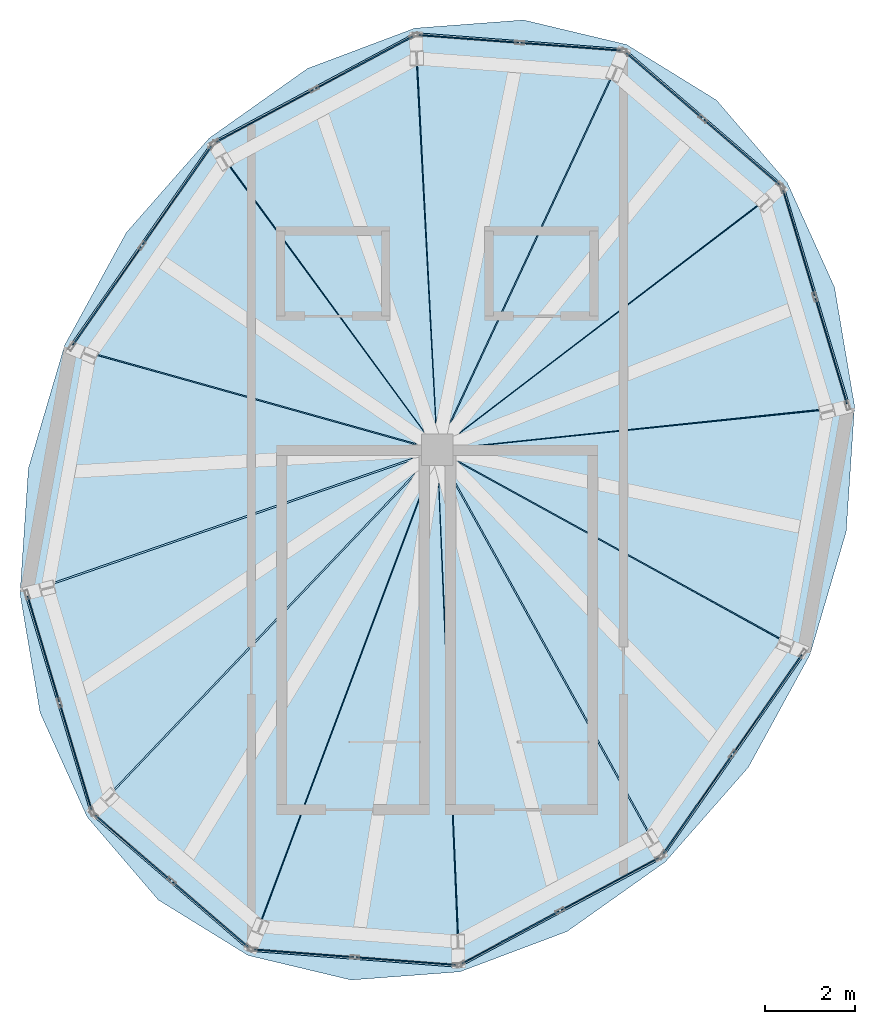
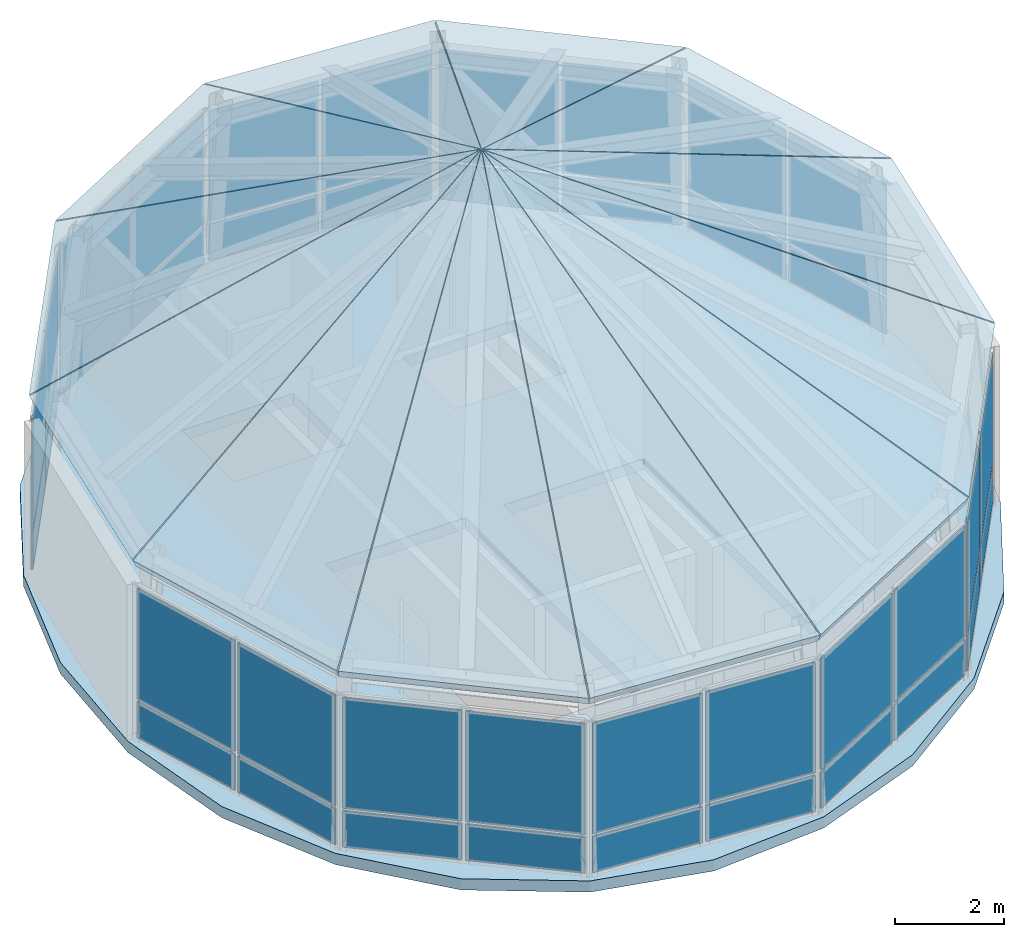
# One storey, part 6 of 8: 40 plates, 13 slabs, 10 elements without a shape of their own.
"""IFC4 building model written with IfcOpenShell, lengths in metres."""

import ifcopenshell
import ifcopenshell.guid

model = None  # the IFC model being written
_history = None  # IfcOwnerHistory: only IFC2X3 demands one
_inside = {}  # id of a spatial element -> (the spatial element, [elements in it])
_under = {}  # id of a project, library or spatial element -> (it, [spatial elements below it])
_declared = {}  # id of a project -> (the project, [libraries it declares])
_typed = {}  # id of a type object -> (the type object, [elements of that type])
_made_of = {}  # id of a material, layer set ... -> (it, [elements and type objects made of it])


def new_model(schema):
    """Start an empty IFC model of exactly this schema.

    Asked for "IFC4X3", IfcOpenShell would pick the latest addendum, in which some entities
    have other attributes; the version numbers below select the first issue.
    IFC2X3 requires an IfcOwnerHistory on every rooted entity: one is made here for all.
    """
    global model, _history
    if schema == "IFC4X3":
        model = ifcopenshell.file(schema_version=(4, 3, 0, 0))
    else:
        model = ifcopenshell.file(schema=schema)
    _inside.clear()
    _under.clear()
    _declared.clear()
    _typed.clear()
    _made_of.clear()
    _history = None
    if model.schema == "IFC2X3":
        org = make("IfcOrganization", Name="unknown")
        user = make(
            "IfcPersonAndOrganization",
            ThePerson=make("IfcPerson", FamilyName="unknown"),
            TheOrganization=org,
        )
        app = make(
            "IfcApplication",
            ApplicationDeveloper=org,
            Version="unknown",
            ApplicationFullName="unknown",
            ApplicationIdentifier="unknown",
        )
        _history = make(
            "IfcOwnerHistory",
            OwningUser=user,
            OwningApplication=app,
            ChangeAction="ADDED",
            CreationDate=0,
        )
    return model


def make(cls, **values):
    """One entity of the class cls with the attributes given. An attribute that is None is left unset."""
    return model.create_entity(
        cls, **{name: value for name, value in values.items() if value is not None}
    )


def rooted(cls, **values):
    """An entity with a GlobalId (a new one), such as an element, a storey or a relation."""
    return make(cls, GlobalId=ifcopenshell.guid.new(), OwnerHistory=_history, **values)


def si_unit(unit_type, name, prefix=None):
    """IfcSIUnit, for example si_unit("LENGTHUNIT", "METRE", prefix="MILLI")."""
    return make("IfcSIUnit", UnitType=unit_type, Prefix=prefix, Name=name)


def assignment(units):
    """IfcUnitAssignment: the units of a project."""
    return None if units is None else make("IfcUnitAssignment", Units=units)


def point(xyz):
    """IfcCartesianPoint."""
    return None if xyz is None else make("IfcCartesianPoint", Coordinates=xyz)


def direction(xyz):
    """IfcDirection."""
    return None if xyz is None else make("IfcDirection", DirectionRatios=xyz)


def frame(location, z_axis=None, x_axis=None):
    """IfcAxis2Placement3D, a coordinate frame: its origin and axes. An axis left out is left unset."""
    return make(
        "IfcAxis2Placement3D",
        Location=point(location),
        Axis=direction(z_axis),
        RefDirection=direction(x_axis),
    )


def frame_2d(location, x_axis=None):
    """IfcAxis2Placement2D, a coordinate frame in the plane: its origin and x axis."""
    return make(
        "IfcAxis2Placement2D", Location=point(location), RefDirection=direction(x_axis)
    )


def origin():
    """The frame at (0, 0, 0) with its axes left unset."""
    return frame((0.0, 0.0, 0.0))


def origin_2d():
    """The frame at (0, 0) in the plane with its x axis left unset."""
    return frame_2d((0.0, 0.0))


def place(relative_to, where):
    """IfcLocalPlacement: puts the frame where relative to a parent placement (None: the world)."""
    return make(
        "IfcLocalPlacement", PlacementRelTo=relative_to, RelativePlacement=where
    )


def context(
    kind, dimensions, precision=None, world=None, true_north=None, identifier=None
):
    """IfcGeometricRepresentationContext, for example the 3D "Model" context."""
    return make(
        "IfcGeometricRepresentationContext",
        ContextIdentifier=identifier,
        ContextType=kind,
        CoordinateSpaceDimension=dimensions,
        Precision=precision,
        WorldCoordinateSystem=world,
        TrueNorth=true_north,
    )


def subcontext(parent, identifier, kind, view, scale=None):
    """IfcGeometricRepresentationSubContext, for example "Body" below "Model"."""
    return make(
        "IfcGeometricRepresentationSubContext",
        ContextIdentifier=identifier,
        ContextType=kind,
        ParentContext=parent,
        TargetScale=scale,
        TargetView=view,
    )


def project(units=None, contexts=None):
    """IfcProject with its units and contexts."""
    return rooted(
        "IfcProject",
        Name="project",
        RepresentationContexts=contexts,
        UnitsInContext=assignment(units),
    )


def spatial(cls, under=None, at=None, **own):
    """A site, building, storey or space (cls), placed at a placement, below another one or the project."""
    s = rooted(cls, ObjectPlacement=at, **own)
    if under is not None:
        _under.setdefault(under.id(), (under, []))[1].append(s)
    return s


def polyline(points):
    """IfcPolyline through the points."""
    return make("IfcPolyline", Points=[point(p) for p in points])


def profile(cls, at=None, kind="AREA", **sizes):
    """A parametric profile (cls). Its sizes go by their IFC names, for example OverallWidth=200.0."""
    return make(cls, ProfileType=kind, Position=at, **sizes)


def rectangle(**sizes):
    """IfcRectangleProfileDef."""
    return profile("IfcRectangleProfileDef", **sizes)


def outline(outer, holes=None, kind="AREA"):
    """IfcArbitraryClosedProfileDef: a profile drawn as a closed curve; with holes, ...WithVoids."""
    if holes is None:
        return make("IfcArbitraryClosedProfileDef", ProfileType=kind, OuterCurve=outer)
    return make(
        "IfcArbitraryProfileDefWithVoids",
        ProfileType=kind,
        OuterCurve=outer,
        InnerCurves=holes,
    )


def extrude(swept, where, along, depth):
    """IfcExtrudedAreaSolid: the profile swept, set in the frame where, extruded along a direction by depth."""
    return make(
        "IfcExtrudedAreaSolid",
        SweptArea=swept,
        Position=where,
        ExtrudedDirection=direction(along),
        Depth=depth,
    )


def shape(context_of_items, identifier, shape_type, items):
    """IfcShapeRepresentation: the items that make up one representation, for example the "Body"."""
    return make(
        "IfcShapeRepresentation",
        ContextOfItems=context_of_items,
        RepresentationIdentifier=identifier,
        RepresentationType=shape_type,
        Items=items,
    )


def material(Name=None, Category=None):
    """IfcMaterial."""
    return make("IfcMaterial", Name=Name, Category=Category)


def layer(
    of_material, thickness, ventilated=None, Name=None, Category=None, Priority=None
):
    """IfcMaterialLayer: one layer of a wall or slab, of a material (None: an air gap)."""
    return make(
        "IfcMaterialLayer",
        Material=of_material,
        LayerThickness=thickness,
        IsVentilated=ventilated,
        Name=Name,
        Category=Category,
        Priority=Priority,
    )


def layer_set(layers, Name=None):
    """IfcMaterialLayerSet."""
    return make("IfcMaterialLayerSet", MaterialLayers=layers, LayerSetName=Name)


def made_of(thing, what):
    """Note that an element or type object is made of a material, layer set ...; save() writes the relation."""
    if what is not None:
        _made_of.setdefault(what.id(), (what, []))[1].append(thing)
    return thing


def type_object(cls, material=None, **own):
    """A type object (cls), such as IfcWallType, which elements share."""
    return made_of(rooted(cls, **own), material)


def element(
    cls,
    number,
    at=None,
    inside=None,
    cuts=None,
    type_object=None,
    material=None,
    context=None,
    identifier="Body",
    shape_type=None,
    held_by="IfcProductDefinitionShape",
    body=None,
    shapes=None,
    **own,
):
    """One element of the class cls, such as IfcWall. Its Tag is "e" and its number.

    at: its placement. inside: the storey or other place that contains it. cuts: it is an
    opening in that element (IfcRelVoidsElement). A single representation is given by context,
    identifier, shape_type and body (its items); several are given by shapes. held_by: the class
    of the entity that holds the representations. save() writes the other relations.
    """
    e = rooted(cls, Tag="e%d" % number, ObjectPlacement=at, **own)
    if body is not None:
        shapes = [shape(context, identifier, shape_type, body)]
    if shapes is not None:
        e.Representation = make(held_by, Representations=shapes)
    if inside is not None:
        _inside.setdefault(inside.id(), (inside, []))[1].append(e)
    if cuts is not None:
        rooted(
            "IfcRelVoidsElement", RelatingBuildingElement=cuts, RelatedOpeningElement=e
        )
    if type_object is not None:
        _typed.setdefault(type_object.id(), (type_object, []))[1].append(e)
    return made_of(e, material)


def aggregate(whole, parts):
    """IfcRelAggregates: a whole, such as a stair, and the parts it consists of."""
    return rooted("IfcRelAggregates", RelatingObject=whole, RelatedObjects=parts)


def save(model, path):
    """Write the relations noted so far, then the file.

    IfcRelAggregates (storeys below a building ...), IfcRelContainedInSpatialStructure (elements
    in a storey), IfcRelDefinesByType, IfcRelAssociatesMaterial and IfcRelDeclares: one each for
    every whole, place, type object, material and project.
    """
    for whole, parts in _under.values():
        aggregate(whole, parts)
    for where, things in _inside.values():
        rooted(
            "IfcRelContainedInSpatialStructure",
            RelatedElements=things,
            RelatingStructure=where,
        )
    for kind, things in _typed.values():
        rooted("IfcRelDefinesByType", RelatedObjects=things, RelatingType=kind)
    for what, things in _made_of.values():
        rooted("IfcRelAssociatesMaterial", RelatedObjects=things, RelatingMaterial=what)
    for by, libraries in _declared.values():
        rooted("IfcRelDeclares", RelatingContext=by, RelatedDefinitions=libraries)
    model.write(path)


model = new_model("IFC4")

# Units and contexts
model_context = context("Model", 3, precision=1e-05, world=origin(), true_north=direction((0.0, 1.0)))
body_context = subcontext(model_context, "Body", "Model", "MODEL_VIEW")
ifc_project = project(units=[si_unit("LENGTHUNIT", "METRE"), si_unit("AREAUNIT", "SQUARE_METRE"), si_unit("VOLUMEUNIT", "CUBIC_METRE"), si_unit("PLANEANGLEUNIT", "RADIAN"), si_unit("MASSUNIT", "GRAM", prefix="KILO"), si_unit("THERMODYNAMICTEMPERATUREUNIT", "KELVIN"), si_unit("POWERUNIT", "WATT")], contexts=[model_context])

# Site, building, storey
site_placement = place(None, origin())
site = spatial("IfcSite", under=ifc_project, at=site_placement, CompositionType="ELEMENT")
building_placement = place(site_placement, origin())
building = spatial("IfcBuilding", under=site, at=building_placement, Name="Ocrelia Relay Tower", CompositionType="ELEMENT")
storey_placement = place(building_placement, frame((0.0, 0.0, 308.0)))
storey = spatial("IfcBuildingStorey", under=building, at=storey_placement, Name="L77", CompositionType="ELEMENT", Elevation=308.0)

# Curtain wall, plates
ifc_material_1 = material(Name="Aluminium and solar-control low-E glass", Category="aluminium")
ifc_layer_1 = layer(ifc_material_1, 0.179931640625, Name="Aluminium and solar-control low-E glass")
ifc_layer_set_1 = layer_set([ifc_layer_1], Name="Aluminium and solar-control low-E glass")
curtain_wall_type = type_object("IfcCurtainWallType", Name="CW-SYS-CROWN-PT", PredefinedType="NOTDEFINED", material=ifc_layer_set_1)
curtain_wall_1_placement = place(storey_placement, origin())
curtain_wall_1 = element("IfcCurtainWall", 1, at=curtain_wall_1_placement, inside=storey, type_object=curtain_wall_type, Name="L77 Faceted Glass-Point Crown Curtain Wall 01", PredefinedType="NOTDEFINED")
ifc_material_2 = material(Name="Clear double-glazed low-E glass", Category="glass")
ifc_layer_2 = layer(ifc_material_2, 0.031982421875, Name="Clear double-glazed low-E glass")
ifc_layer_set_2 = layer_set([ifc_layer_2], Name="Clear double-glazed low-E glass")
plate_type = type_object("IfcPlateType", Name="CW-SYS-CROWN-PT-PNL", PredefinedType="CURTAIN_PANEL", material=ifc_layer_set_2)
plate_1_placement = place(storey_placement, frame((36.981201171875, 36.110595703125, 0.06494140625), z_axis=(0.0, 0.0, 1.0), x_axis=(-0.997101028863, 0.076089015245, 0.0)))
plate_1 = element("IfcPlate", 2, at=plate_1_placement, type_object=plate_type, Name="CW-CR panel 1.1", PredefinedType="CURTAIN_PANEL", context=body_context, shape_type="SweptSolid", body=[
    extrude(rectangle(XDim=2.21630859375, YDim=0.031982421875, at=origin_2d()), origin(), (0.0, 0.0, 1.0), 0.802490234375),
])
plate_2_placement = place(storey_placement, frame((36.981201171875, 36.110595703125, 0.9326171875), z_axis=(0.0, 0.0, 1.0), x_axis=(-0.997101028863, 0.076089015245, 0.0)))
plate_2 = element("IfcPlate", 3, at=plate_2_placement, type_object=plate_type, Name="CW-CR panel 1.2", PredefinedType="CURTAIN_PANEL", context=body_context, shape_type="SweptSolid", body=[
    extrude(rectangle(XDim=2.21630859375, YDim=0.031982421875, at=origin_2d()), origin(), (0.0, 0.0, 1.0), 2.46240234375),
])
plate_3_placement = place(storey_placement, frame((34.696533203125, 36.284912109375, 0.06494140625), z_axis=(0.0, 0.0, 1.0), x_axis=(-0.997101028863, 0.076089015245, 0.0)))
plate_3 = element("IfcPlate", 4, at=plate_3_placement, type_object=plate_type, Name="CW-CR panel 2.1", PredefinedType="CURTAIN_PANEL", context=body_context, shape_type="SweptSolid", body=[
    extrude(rectangle(XDim=2.21630859375, YDim=0.031982421875, at=origin_2d()), origin(), (0.0, 0.0, 1.0), 0.802490234375),
])
plate_4_placement = place(storey_placement, frame((34.696533203125, 36.284912109375, 0.9326171875), z_axis=(0.0, 0.0, 1.0), x_axis=(-0.997101028863, 0.076089015245, 0.0)))
plate_4 = element("IfcPlate", 5, at=plate_4_placement, type_object=plate_type, Name="CW-CR panel 2.2", PredefinedType="CURTAIN_PANEL", context=body_context, shape_type="SweptSolid", body=[
    extrude(rectangle(XDim=2.21630859375, YDim=0.031982421875, at=origin_2d()), origin(), (0.0, 0.0, 1.0), 2.46240234375),
])
aggregate(curtain_wall_1, [plate_1, plate_2, plate_3, plate_4])

curtain_wall_2_placement = place(storey_placement, origin())
curtain_wall_2 = element("IfcCurtainWall", 6, at=curtain_wall_2_placement, inside=storey, type_object=curtain_wall_type, Name="L77 Faceted Glass-Point Crown Curtain Wall 02", PredefinedType="NOTDEFINED")
plate_5_placement = place(storey_placement, frame((32.37158203125, 35.759765625, 0.06494140625), z_axis=(0.0, 0.0, 1.0), x_axis=(-0.880913686339, -0.473276956147, 0.0)))
plate_5 = element("IfcPlate", 7, at=plate_5_placement, type_object=plate_type, Name="CW-CR panel 1.1", PredefinedType="CURTAIN_PANEL", context=body_context, shape_type="SweptSolid", body=[
    extrude(rectangle(XDim=2.449951171875, YDim=0.031982421875, at=origin_2d()), origin(), (0.0, 0.0, 1.0), 0.802490234375),
])
plate_6_placement = place(storey_placement, frame((32.37158203125, 35.759765625, 0.9326171875), z_axis=(0.0, 0.0, 1.0), x_axis=(-0.880913686339, -0.473276956147, 0.0)))
plate_6 = element("IfcPlate", 8, at=plate_6_placement, type_object=plate_type, Name="CW-CR panel 1.2", PredefinedType="CURTAIN_PANEL", context=body_context, shape_type="SweptSolid", body=[
    extrude(rectangle(XDim=2.449951171875, YDim=0.031982421875, at=origin_2d()), origin(), (0.0, 0.0, 1.0), 2.46240234375),
])
plate_7_placement = place(storey_placement, frame((30.147216796875, 34.564697265625, 0.06494140625), z_axis=(0.0, 0.0, 1.0), x_axis=(-0.880913686339, -0.473276956147, 0.0)))
plate_7 = element("IfcPlate", 9, at=plate_7_placement, type_object=plate_type, Name="CW-CR panel 2.1", PredefinedType="CURTAIN_PANEL", context=body_context, shape_type="SweptSolid", body=[
    extrude(rectangle(XDim=2.449951171875, YDim=0.031982421875, at=origin_2d()), origin(), (0.0, 0.0, 1.0), 0.802490234375),
])
plate_8_placement = place(storey_placement, frame((30.147216796875, 34.564697265625, 0.9326171875), z_axis=(0.0, 0.0, 1.0), x_axis=(-0.880913686339, -0.473276956147, 0.0)))
plate_8 = element("IfcPlate", 10, at=plate_8_placement, type_object=plate_type, Name="CW-CR panel 2.2", PredefinedType="CURTAIN_PANEL", context=body_context, shape_type="SweptSolid", body=[
    extrude(rectangle(XDim=2.449951171875, YDim=0.031982421875, at=origin_2d()), origin(), (0.0, 0.0, 1.0), 2.46240234375),
])
aggregate(curtain_wall_2, [plate_5, plate_6, plate_7, plate_8])

curtain_wall_3_placement = place(storey_placement, origin())
curtain_wall_3 = element("IfcCurtainWall", 11, at=curtain_wall_3_placement, inside=storey, type_object=curtain_wall_type, Name="L77 Faceted Glass-Point Crown Curtain Wall 03", PredefinedType="NOTDEFINED")
plate_9_placement = place(storey_placement, frame((28.197509765625, 32.795166015625, 0.06494140625), z_axis=(0.0, 0.0, 1.0), x_axis=(-0.571847753211, -0.820359766899, 0.0)))
plate_9 = element("IfcPlate", 12, at=plate_9_placement, type_object=plate_type, Name="CW-CR panel 1.1", PredefinedType="CURTAIN_PANEL", context=body_context, shape_type="SweptSolid", body=[
    extrude(rectangle(XDim=2.6640625, YDim=0.031982421875, at=origin_2d()), origin(), (0.0, 0.0, 1.0), 0.802490234375),
])
plate_10_placement = place(storey_placement, frame((28.197509765625, 32.795166015625, 0.9326171875), z_axis=(0.0, 0.0, 1.0), x_axis=(-0.571847753211, -0.820359766899, 0.0)))
plate_10 = element("IfcPlate", 13, at=plate_10_placement, type_object=plate_type, Name="CW-CR panel 1.2", PredefinedType="CURTAIN_PANEL", context=body_context, shape_type="SweptSolid", body=[
    extrude(rectangle(XDim=2.6640625, YDim=0.031982421875, at=origin_2d()), origin(), (0.0, 0.0, 1.0), 2.46240234375),
])
plate_11_placement = place(storey_placement, frame((26.631103515625, 30.548095703125, 0.06494140625), z_axis=(0.0, 0.0, 1.0), x_axis=(-0.571847753211, -0.820359766899, 0.0)))
plate_11 = element("IfcPlate", 14, at=plate_11_placement, type_object=plate_type, Name="CW-CR panel 2.1", PredefinedType="CURTAIN_PANEL", context=body_context, shape_type="SweptSolid", body=[
    extrude(rectangle(XDim=2.6640625, YDim=0.031982421875, at=origin_2d()), origin(), (0.0, 0.0, 1.0), 0.802490234375),
])
plate_12_placement = place(storey_placement, frame((26.631103515625, 30.548095703125, 0.9326171875), z_axis=(0.0, 0.0, 1.0), x_axis=(-0.571847753211, -0.820359766899, 0.0)))
plate_12 = element("IfcPlate", 15, at=plate_12_placement, type_object=plate_type, Name="CW-CR panel 2.2", PredefinedType="CURTAIN_PANEL", context=body_context, shape_type="SweptSolid", body=[
    extrude(rectangle(XDim=2.6640625, YDim=0.031982421875, at=origin_2d()), origin(), (0.0, 0.0, 1.0), 2.46240234375),
])
aggregate(curtain_wall_3, [plate_9, plate_10, plate_11, plate_12])

curtain_wall_4_placement = place(storey_placement, origin())
curtain_wall_4 = element("IfcCurtainWall", 16, at=curtain_wall_4_placement, inside=storey, type_object=curtain_wall_type, Name="L77 Faceted Glass-Point Crown Curtain Wall 05", PredefinedType="NOTDEFINED")
plate_13_placement = place(storey_placement, frame((25.2138671875, 22.68359375, 0.06494140625), z_axis=(0.0, 0.0, 1.0), x_axis=(0.286578039111, -0.958056902015, 0.0)))
plate_13 = element("IfcPlate", 17, at=plate_13_placement, type_object=plate_type, Name="CW-CR panel 1.1", PredefinedType="CURTAIN_PANEL", context=body_context, shape_type="SweptSolid", body=[
    extrude(rectangle(XDim=2.449951171875, YDim=0.031982421875, at=origin_2d()), origin(), (0.0, 0.0, 1.0), 0.802490234375),
])
plate_14_placement = place(storey_placement, frame((25.2138671875, 22.68359375, 0.9326171875), z_axis=(0.0, 0.0, 1.0), x_axis=(0.286578039111, -0.958056902015, 0.0)))
plate_14 = element("IfcPlate", 18, at=plate_14_placement, type_object=plate_type, Name="CW-CR panel 1.2", PredefinedType="CURTAIN_PANEL", context=body_context, shape_type="SweptSolid", body=[
    extrude(rectangle(XDim=2.449951171875, YDim=0.031982421875, at=origin_2d()), origin(), (0.0, 0.0, 1.0), 2.46240234375),
])
plate_15_placement = place(storey_placement, frame((25.937255859375, 20.264404296875, 0.06494140625), z_axis=(0.0, 0.0, 1.0), x_axis=(0.286578039111, -0.958056902015, 0.0)))
plate_15 = element("IfcPlate", 19, at=plate_15_placement, type_object=plate_type, Name="CW-CR panel 2.1", PredefinedType="CURTAIN_PANEL", context=body_context, shape_type="SweptSolid", body=[
    extrude(rectangle(XDim=2.449951171875, YDim=0.031982421875, at=origin_2d()), origin(), (0.0, 0.0, 1.0), 0.802490234375),
])
plate_16_placement = place(storey_placement, frame((25.937255859375, 20.264404296875, 0.9326171875), z_axis=(0.0, 0.0, 1.0), x_axis=(0.286578039111, -0.958056902015, 0.0)))
plate_16 = element("IfcPlate", 20, at=plate_16_placement, type_object=plate_type, Name="CW-CR panel 2.2", PredefinedType="CURTAIN_PANEL", context=body_context, shape_type="SweptSolid", body=[
    extrude(rectangle(XDim=2.449951171875, YDim=0.031982421875, at=origin_2d()), origin(), (0.0, 0.0, 1.0), 2.46240234375),
])
aggregate(curtain_wall_4, [plate_13, plate_14, plate_15, plate_16])

curtain_wall_5_placement = place(storey_placement, origin())
curtain_wall_5 = element("IfcCurtainWall", 21, at=curtain_wall_5_placement, inside=storey, type_object=curtain_wall_type, Name="L77 Faceted Glass-Point Crown Curtain Wall 06", PredefinedType="NOTDEFINED")
plate_17_placement = place(storey_placement, frame((27.206298828125, 18.246826171875, 0.06494140625), z_axis=(0.0, 0.0, 1.0), x_axis=(0.757719258407, -0.652580665849, 0.0)))
plate_17 = element("IfcPlate", 22, at=plate_17_placement, type_object=plate_type, Name="CW-CR panel 1.1", PredefinedType="CURTAIN_PANEL", context=body_context, shape_type="SweptSolid", body=[
    extrude(rectangle(XDim=2.21630859375, YDim=0.031982421875, at=origin_2d()), origin(), (0.0, 0.0, 1.0), 0.802490234375),
])
plate_18_placement = place(storey_placement, frame((27.206298828125, 18.246826171875, 0.9326171875), z_axis=(0.0, 0.0, 1.0), x_axis=(0.757719258407, -0.652580665849, 0.0)))
plate_18 = element("IfcPlate", 23, at=plate_18_placement, type_object=plate_type, Name="CW-CR panel 1.2", PredefinedType="CURTAIN_PANEL", context=body_context, shape_type="SweptSolid", body=[
    extrude(rectangle(XDim=2.21630859375, YDim=0.031982421875, at=origin_2d()), origin(), (0.0, 0.0, 1.0), 2.46240234375),
])
plate_19_placement = place(storey_placement, frame((28.942626953125, 16.751708984375, 0.06494140625), z_axis=(0.0, 0.0, 1.0), x_axis=(0.757719258407, -0.652580665849, 0.0)))
plate_19 = element("IfcPlate", 24, at=plate_19_placement, type_object=plate_type, Name="CW-CR panel 2.1", PredefinedType="CURTAIN_PANEL", context=body_context, shape_type="SweptSolid", body=[
    extrude(rectangle(XDim=2.21630859375, YDim=0.031982421875, at=origin_2d()), origin(), (0.0, 0.0, 1.0), 0.802490234375),
])
plate_20_placement = place(storey_placement, frame((28.942626953125, 16.751708984375, 0.9326171875), z_axis=(0.0, 0.0, 1.0), x_axis=(0.757719258407, -0.652580665849, 0.0)))
plate_20 = element("IfcPlate", 25, at=plate_20_placement, type_object=plate_type, Name="CW-CR panel 2.2", PredefinedType="CURTAIN_PANEL", context=body_context, shape_type="SweptSolid", body=[
    extrude(rectangle(XDim=2.21630859375, YDim=0.031982421875, at=origin_2d()), origin(), (0.0, 0.0, 1.0), 2.46240234375),
])
aggregate(curtain_wall_5, [plate_17, plate_18, plate_19, plate_20])

curtain_wall_6_placement = place(storey_placement, origin())
curtain_wall_6 = element("IfcCurtainWall", 26, at=curtain_wall_6_placement, inside=storey, type_object=curtain_wall_type, Name="L77 Faceted Glass-Point Crown Curtain Wall 07", PredefinedType="NOTDEFINED")
plate_21_placement = place(storey_placement, frame((31.018798828125, 15.889404296875, 0.06494140625), z_axis=(0.0, 0.0, 1.0), x_axis=(0.997101028863, -0.076089015245, 0.0)))
plate_21 = element("IfcPlate", 27, at=plate_21_placement, type_object=plate_type, Name="CW-CR panel 1.1", PredefinedType="CURTAIN_PANEL", context=body_context, shape_type="SweptSolid", body=[
    extrude(rectangle(XDim=2.21630859375, YDim=0.031982421875, at=origin_2d()), origin(), (0.0, 0.0, 1.0), 0.802490234375),
])
plate_22_placement = place(storey_placement, frame((31.018798828125, 15.889404296875, 0.9326171875), z_axis=(0.0, 0.0, 1.0), x_axis=(0.997101028863, -0.076089015245, 0.0)))
plate_22 = element("IfcPlate", 28, at=plate_22_placement, type_object=plate_type, Name="CW-CR panel 1.2", PredefinedType="CURTAIN_PANEL", context=body_context, shape_type="SweptSolid", body=[
    extrude(rectangle(XDim=2.21630859375, YDim=0.031982421875, at=origin_2d()), origin(), (0.0, 0.0, 1.0), 2.46240234375),
])
plate_23_placement = place(storey_placement, frame((33.303466796875, 15.715087890625, 0.06494140625), z_axis=(0.0, 0.0, 1.0), x_axis=(0.997101028863, -0.076089015245, 0.0)))
plate_23 = element("IfcPlate", 29, at=plate_23_placement, type_object=plate_type, Name="CW-CR panel 2.1", PredefinedType="CURTAIN_PANEL", context=body_context, shape_type="SweptSolid", body=[
    extrude(rectangle(XDim=2.21630859375, YDim=0.031982421875, at=origin_2d()), origin(), (0.0, 0.0, 1.0), 0.802490234375),
])
plate_24_placement = place(storey_placement, frame((33.303466796875, 15.715087890625, 0.9326171875), z_axis=(0.0, 0.0, 1.0), x_axis=(0.997101028863, -0.076089015245, 0.0)))
plate_24 = element("IfcPlate", 30, at=plate_24_placement, type_object=plate_type, Name="CW-CR panel 2.2", PredefinedType="CURTAIN_PANEL", context=body_context, shape_type="SweptSolid", body=[
    extrude(rectangle(XDim=2.21630859375, YDim=0.031982421875, at=origin_2d()), origin(), (0.0, 0.0, 1.0), 2.46240234375),
])
aggregate(curtain_wall_6, [plate_21, plate_22, plate_23, plate_24])

curtain_wall_7_placement = place(storey_placement, origin())
curtain_wall_7 = element("IfcCurtainWall", 31, at=curtain_wall_7_placement, inside=storey, type_object=curtain_wall_type, Name="L77 Faceted Glass-Point Crown Curtain Wall 08", PredefinedType="NOTDEFINED")
plate_25_placement = place(storey_placement, frame((35.62841796875, 16.240234375, 0.06494140625), z_axis=(0.0, 0.0, 1.0), x_axis=(0.880913686339, 0.473276956147, 0.0)))
plate_25 = element("IfcPlate", 32, at=plate_25_placement, type_object=plate_type, Name="CW-CR panel 1.1", PredefinedType="CURTAIN_PANEL", context=body_context, shape_type="SweptSolid", body=[
    extrude(rectangle(XDim=2.449951171875, YDim=0.031982421875, at=origin_2d()), origin(), (0.0, 0.0, 1.0), 0.802490234375),
])
plate_26_placement = place(storey_placement, frame((35.62841796875, 16.240234375, 0.9326171875), z_axis=(0.0, 0.0, 1.0), x_axis=(0.880913686339, 0.473276956147, 0.0)))
plate_26 = element("IfcPlate", 33, at=plate_26_placement, type_object=plate_type, Name="CW-CR panel 1.2", PredefinedType="CURTAIN_PANEL", context=body_context, shape_type="SweptSolid", body=[
    extrude(rectangle(XDim=2.449951171875, YDim=0.031982421875, at=origin_2d()), origin(), (0.0, 0.0, 1.0), 2.46240234375),
])
plate_27_placement = place(storey_placement, frame((37.852783203125, 17.435302734375, 0.06494140625), z_axis=(0.0, 0.0, 1.0), x_axis=(0.880913686339, 0.473276956147, 0.0)))
plate_27 = element("IfcPlate", 34, at=plate_27_placement, type_object=plate_type, Name="CW-CR panel 2.1", PredefinedType="CURTAIN_PANEL", context=body_context, shape_type="SweptSolid", body=[
    extrude(rectangle(XDim=2.449951171875, YDim=0.031982421875, at=origin_2d()), origin(), (0.0, 0.0, 1.0), 0.802490234375),
])
plate_28_placement = place(storey_placement, frame((37.852783203125, 17.435302734375, 0.9326171875), z_axis=(0.0, 0.0, 1.0), x_axis=(0.880913686339, 0.473276956147, 0.0)))
plate_28 = element("IfcPlate", 35, at=plate_28_placement, type_object=plate_type, Name="CW-CR panel 2.2", PredefinedType="CURTAIN_PANEL", context=body_context, shape_type="SweptSolid", body=[
    extrude(rectangle(XDim=2.449951171875, YDim=0.031982421875, at=origin_2d()), origin(), (0.0, 0.0, 1.0), 2.46240234375),
])
aggregate(curtain_wall_7, [plate_25, plate_26, plate_27, plate_28])

curtain_wall_8_placement = place(storey_placement, origin())
curtain_wall_8 = element("IfcCurtainWall", 36, at=curtain_wall_8_placement, inside=storey, type_object=curtain_wall_type, Name="L77 Faceted Glass-Point Crown Curtain Wall 09", PredefinedType="NOTDEFINED")
plate_29_placement = place(storey_placement, frame((39.802490234375, 19.204833984375, 0.06494140625), z_axis=(0.0, 0.0, 1.0), x_axis=(0.571847753211, 0.820359766899, 0.0)))
plate_29 = element("IfcPlate", 37, at=plate_29_placement, type_object=plate_type, Name="CW-CR panel 1.1", PredefinedType="CURTAIN_PANEL", context=body_context, shape_type="SweptSolid", body=[
    extrude(rectangle(XDim=2.6640625, YDim=0.031982421875, at=origin_2d()), origin(), (0.0, 0.0, 1.0), 0.802490234375),
])
plate_30_placement = place(storey_placement, frame((39.802490234375, 19.204833984375, 0.9326171875), z_axis=(0.0, 0.0, 1.0), x_axis=(0.571847753211, 0.820359766899, 0.0)))
plate_30 = element("IfcPlate", 38, at=plate_30_placement, type_object=plate_type, Name="CW-CR panel 1.2", PredefinedType="CURTAIN_PANEL", context=body_context, shape_type="SweptSolid", body=[
    extrude(rectangle(XDim=2.6640625, YDim=0.031982421875, at=origin_2d()), origin(), (0.0, 0.0, 1.0), 2.46240234375),
])
plate_31_placement = place(storey_placement, frame((41.368896484375, 21.451904296875, 0.06494140625), z_axis=(0.0, 0.0, 1.0), x_axis=(0.571847753211, 0.820359766899, 0.0)))
plate_31 = element("IfcPlate", 39, at=plate_31_placement, type_object=plate_type, Name="CW-CR panel 2.1", PredefinedType="CURTAIN_PANEL", context=body_context, shape_type="SweptSolid", body=[
    extrude(rectangle(XDim=2.6640625, YDim=0.031982421875, at=origin_2d()), origin(), (0.0, 0.0, 1.0), 0.802490234375),
])
plate_32_placement = place(storey_placement, frame((41.368896484375, 21.451904296875, 0.9326171875), z_axis=(0.0, 0.0, 1.0), x_axis=(0.571847753211, 0.820359766899, 0.0)))
plate_32 = element("IfcPlate", 40, at=plate_32_placement, type_object=plate_type, Name="CW-CR panel 2.2", PredefinedType="CURTAIN_PANEL", context=body_context, shape_type="SweptSolid", body=[
    extrude(rectangle(XDim=2.6640625, YDim=0.031982421875, at=origin_2d()), origin(), (0.0, 0.0, 1.0), 2.46240234375),
])
aggregate(curtain_wall_8, [plate_29, plate_30, plate_31, plate_32])

curtain_wall_9_placement = place(storey_placement, origin())
curtain_wall_9 = element("IfcCurtainWall", 41, at=curtain_wall_9_placement, inside=storey, type_object=curtain_wall_type, Name="L77 Faceted Glass-Point Crown Curtain Wall 11", PredefinedType="NOTDEFINED")
plate_33_placement = place(storey_placement, frame((42.7861328125, 29.31640625, 0.06494140625), z_axis=(0.0, 0.0, 1.0), x_axis=(-0.286578039111, 0.958056902015, 0.0)))
plate_33 = element("IfcPlate", 42, at=plate_33_placement, type_object=plate_type, Name="CW-CR panel 1.1", PredefinedType="CURTAIN_PANEL", context=body_context, shape_type="SweptSolid", body=[
    extrude(rectangle(XDim=2.449951171875, YDim=0.031982421875, at=origin_2d()), origin(), (0.0, 0.0, 1.0), 0.802490234375),
])
plate_34_placement = place(storey_placement, frame((42.7861328125, 29.31640625, 0.9326171875), z_axis=(0.0, 0.0, 1.0), x_axis=(-0.286578039111, 0.958056902015, 0.0)))
plate_34 = element("IfcPlate", 43, at=plate_34_placement, type_object=plate_type, Name="CW-CR panel 1.2", PredefinedType="CURTAIN_PANEL", context=body_context, shape_type="SweptSolid", body=[
    extrude(rectangle(XDim=2.449951171875, YDim=0.031982421875, at=origin_2d()), origin(), (0.0, 0.0, 1.0), 2.46240234375),
])
plate_35_placement = place(storey_placement, frame((42.062744140625, 31.735595703125, 0.06494140625), z_axis=(0.0, 0.0, 1.0), x_axis=(-0.286578039111, 0.958056902015, 0.0)))
plate_35 = element("IfcPlate", 44, at=plate_35_placement, type_object=plate_type, Name="CW-CR panel 2.1", PredefinedType="CURTAIN_PANEL", context=body_context, shape_type="SweptSolid", body=[
    extrude(rectangle(XDim=2.449951171875, YDim=0.031982421875, at=origin_2d()), origin(), (0.0, 0.0, 1.0), 0.802490234375),
])
plate_36_placement = place(storey_placement, frame((42.062744140625, 31.735595703125, 0.9326171875), z_axis=(0.0, 0.0, 1.0), x_axis=(-0.286578039111, 0.958056902015, 0.0)))
plate_36 = element("IfcPlate", 45, at=plate_36_placement, type_object=plate_type, Name="CW-CR panel 2.2", PredefinedType="CURTAIN_PANEL", context=body_context, shape_type="SweptSolid", body=[
    extrude(rectangle(XDim=2.449951171875, YDim=0.031982421875, at=origin_2d()), origin(), (0.0, 0.0, 1.0), 2.46240234375),
])
aggregate(curtain_wall_9, [plate_33, plate_34, plate_35, plate_36])

curtain_wall_10_placement = place(storey_placement, origin())
curtain_wall_10 = element("IfcCurtainWall", 46, at=curtain_wall_10_placement, inside=storey, type_object=curtain_wall_type, Name="L77 Faceted Glass-Point Crown Curtain Wall 12", PredefinedType="NOTDEFINED")
plate_37_placement = place(storey_placement, frame((40.793701171875, 33.753173828125, 0.06494140625), z_axis=(0.0, 0.0, 1.0), x_axis=(-0.757719258407, 0.652580665849, 0.0)))
plate_37 = element("IfcPlate", 47, at=plate_37_placement, type_object=plate_type, Name="CW-CR panel 1.1", PredefinedType="CURTAIN_PANEL", context=body_context, shape_type="SweptSolid", body=[
    extrude(rectangle(XDim=2.21630859375, YDim=0.031982421875, at=origin_2d()), origin(), (0.0, 0.0, 1.0), 0.802490234375),
])
plate_38_placement = place(storey_placement, frame((40.793701171875, 33.753173828125, 0.9326171875), z_axis=(0.0, 0.0, 1.0), x_axis=(-0.757719258407, 0.652580665849, 0.0)))
plate_38 = element("IfcPlate", 48, at=plate_38_placement, type_object=plate_type, Name="CW-CR panel 1.2", PredefinedType="CURTAIN_PANEL", context=body_context, shape_type="SweptSolid", body=[
    extrude(rectangle(XDim=2.21630859375, YDim=0.031982421875, at=origin_2d()), origin(), (0.0, 0.0, 1.0), 2.46240234375),
])
plate_39_placement = place(storey_placement, frame((39.057373046875, 35.248291015625, 0.06494140625), z_axis=(0.0, 0.0, 1.0), x_axis=(-0.757719258407, 0.652580665849, 0.0)))
plate_39 = element("IfcPlate", 49, at=plate_39_placement, type_object=plate_type, Name="CW-CR panel 2.1", PredefinedType="CURTAIN_PANEL", context=body_context, shape_type="SweptSolid", body=[
    extrude(rectangle(XDim=2.21630859375, YDim=0.031982421875, at=origin_2d()), origin(), (0.0, 0.0, 1.0), 0.802490234375),
])
plate_40_placement = place(storey_placement, frame((39.057373046875, 35.248291015625, 0.9326171875), z_axis=(0.0, 0.0, 1.0), x_axis=(-0.757719258407, 0.652580665849, 0.0)))
plate_40 = element("IfcPlate", 50, at=plate_40_placement, type_object=plate_type, Name="CW-CR panel 2.2", PredefinedType="CURTAIN_PANEL", context=body_context, shape_type="SweptSolid", body=[
    extrude(rectangle(XDim=2.21630859375, YDim=0.031982421875, at=origin_2d()), origin(), (0.0, 0.0, 1.0), 2.46240234375),
])
aggregate(curtain_wall_10, [plate_37, plate_38, plate_39, plate_40])

# Slabs
ifc_material_3 = material(Name="Concrete C50/60", Category="concrete")
ifc_layer_3 = layer(ifc_material_3, 0.179931640625, Name="Concrete C50/60")
ifc_layer_set_3 = layer_set([ifc_layer_3], Name="Concrete C50/60")
slab_type_1 = type_object("IfcSlabType", Name="SL-CROWN-APEX", PredefinedType="ROOF", material=ifc_layer_set_3)
slab_1_placement = place(storey_placement, frame((38.166015625, 36.067626953125, 4.0), z_axis=(0.030396731052, 0.396659607068, 0.917462367), x_axis=(-0.997076654354, 0.076407757082, 0.0)))
element("IfcSlab", 51, at=slab_1_placement, inside=storey, type_object=slab_type_1, Name="Faceted Glass-Point Crown Roof Plane 01", PredefinedType="ROOF", context=body_context, shape_type="SweptSolid", body=[
    extrude(outline(polyline([(0.0, 0.0), (4.6554552078370195, 0.0), (3.468375899947043, 10.054733444860085), (0.0, 0.0)])), origin(), (0.0, 0.0, -1.0), 0.179931640625),
])
slab_2_placement = place(storey_placement, frame((33.49658203125, 36.417236328125, 4.0), z_axis=(-0.202993722643, 0.378269262505, 0.90316438903), x_axis=(-0.881140884584, -0.472853826796, 0.0)))
element("IfcSlab", 52, at=slab_2_placement, inside=storey, type_object=slab_type_1, Name="Faceted Glass-Point Crown Roof Plane 02", PredefinedType="ROOF", context=body_context, shape_type="SweptSolid", body=[
    extrude(outline(polyline([(0.0, 0.0), (5.119760696250196, -2.220446049250313e-16), (3.9502029711748974, 9.317604911892687), (0.0, 0.0)])), origin(), (0.0, 0.0, -1.0), 0.179931640625),
])
slab_3_placement = place(storey_placement, frame((28.962158203125, 33.975341796875, 4.0), z_axis=(-0.365402709812, 0.25482676231, 0.895289998197), x_axis=(-0.572022507534, -0.820237923333, 0.0)))
element("IfcSlab", 53, at=slab_3_placement, inside=storey, type_object=slab_type_1, Name="Faceted Glass-Point Crown Roof Plane 03", PredefinedType="ROOF", context=body_context, shape_type="SweptSolid", body=[
    extrude(outline(polyline([(0.0, 0.0), (5.54544462646885, 0.0), (2.741330381418936, 8.979002085171496), (0.0, 0.0)])), origin(), (0.0, 0.0, -1.0), 0.179931640625),
])
slab_4_placement = place(storey_placement, frame((25.77734375, 29.396484375, 4.0), z_axis=(-0.419809044042, 0.07558966638, 0.904459268777), x_axis=(-0.177207583681, -0.984173497045, 0.0)))
element("IfcSlab", 54, at=slab_4_placement, inside=storey, type_object=slab_type_1, Name="Faceted Glass-Point Crown Roof Plane 04", PredefinedType="ROOF", context=body_context, shape_type="SweptSolid", body=[
    extrude(outline(polyline([(0.0, 0.0), (5.545281952456478, 0.0), (0.7868233946930825, 9.377344399912946), (0.0, 0.0)])), origin(), (0.0, 0.0, -1.0), 0.179931640625),
])
slab_5_placement = place(storey_placement, frame((24.7958984375, 23.90771484375, 4.0), z_axis=(-0.364388621969, -0.10921863266, 0.924820102755), x_axis=(0.287111639003, -0.957897127435, 0.0)))
element("IfcSlab", 55, at=slab_5_placement, inside=storey, type_object=slab_type_1, Name="Faceted Glass-Point Crown Roof Plane 05", PredefinedType="ROOF", context=body_context, shape_type="SweptSolid", body=[
    extrude(outline(polyline([(0.0, 0.0), (5.119857586513572, 0.0), (-0.43016987393684714, 10.51511567249019), (0.0, 0.0)])), origin(), (0.0, 0.0, -1.0), 0.179931640625),
])
slab_6_placement = place(storey_placement, frame((26.28076171875, 18.9794921875, 4.0), z_axis=(-0.219562631721, -0.255112044077, 0.941652853083), x_axis=(0.757940925334, -0.652323197276, 0.0)))
element("IfcSlab", 56, at=slab_6_placement, inside=storey, type_object=slab_type_1, Name="Faceted Glass-Point Crown Roof Plane 06", PredefinedType="ROOF", context=body_context, shape_type="SweptSolid", body=[
    extrude(outline(polyline([(0.0, 0.0), (4.6554610460847865, 0.0), (0.542927369893743, 11.88404770268229), (0.0, 0.0)])), origin(), (0.0, 0.0, -1.0), 0.179931640625),
])
slab_7_placement = place(storey_placement, frame((29.833984375, 15.932373046875, 4.0), z_axis=(-0.025182931561, -0.328622565383, 0.944125536928), x_axis=(0.997076654354, -0.076407757082, 0.0)))
element("IfcSlab", 57, at=slab_7_placement, inside=storey, type_object=slab_type_1, Name="Faceted Glass-Point Crown Roof Plane 07", PredefinedType="ROOF", context=body_context, shape_type="SweptSolid", body=[
    extrude(outline(polyline([(0.0, 0.0), (4.6554552078370195, 5.551115123125783e-17), (3.297710124088742, 12.136435648499974), (0.0, 0.0)])), origin(), (0.0, 0.0, -1.0), 0.179931640625),
])
slab_8_placement = place(storey_placement, frame((34.50341796875, 15.582763671875, 4.0), z_axis=(0.169896572084, -0.316594277831, 0.933221955399), x_axis=(0.881140884584, 0.472853826796, 0.0)))
element("IfcSlab", 58, at=slab_8_placement, inside=storey, type_object=slab_type_1, Name="Faceted Glass-Point Crown Roof Plane 08", PredefinedType="ROOF", context=body_context, shape_type="SweptSolid", body=[
    extrude(outline(polyline([(0.0, 0.0), (5.119760696250196, -2.220446049250313e-16), (5.008414993510151, 11.132745552081884), (0.0, 0.0)])), origin(), (0.0, 0.0, -1.0), 0.179931640625),
])
slab_9_placement = place(storey_placement, frame((39.037841796875, 18.024658203125, 4.0), z_axis=(0.323493804941, -0.225600075551, 0.918943069007), x_axis=(0.572022507534, 0.820237923333, 0.0)))
element("IfcSlab", 59, at=slab_9_placement, inside=storey, type_object=slab_type_1, Name="Faceted Glass-Point Crown Roof Plane 09", PredefinedType="ROOF", context=body_context, shape_type="SweptSolid", body=[
    extrude(outline(polyline([(0.0, 0.0), (5.54544462646885, 4.440892098500626e-16), (4.575675208029676, 10.142239644843766), (0.0, 0.0)])), origin(), (0.0, 0.0, -1.0), 0.179931640625),
])
slab_10_placement = place(storey_placement, frame((42.22265625, 22.603515625, 4.0), z_axis=(0.404284971032, -0.072794444323, 0.911731666157), x_axis=(0.177207583681, 0.984173497045, 0.0)))
element("IfcSlab", 60, at=slab_10_placement, inside=storey, type_object=slab_type_1, Name="Faceted Glass-Point Crown Roof Plane 10", PredefinedType="ROOF", context=body_context, shape_type="SweptSolid", body=[
    extrude(outline(polyline([(0.0, 0.0), (5.545281952456478, 1.1102230246251565e-16), (2.9874747257116634, 9.737423526103838), (0.0, 0.0)])), origin(), (0.0, 0.0, -1.0), 0.179931640625),
])
slab_11_placement = place(storey_placement, frame((43.2041015625, 28.09228515625, 4.0), z_axis=(0.386140769699, 0.115738429627, 0.915150218207), x_axis=(-0.287111639003, 0.957897127435, 0.0)))
element("IfcSlab", 61, at=slab_11_placement, inside=storey, type_object=slab_type_1, Name="Faceted Glass-Point Crown Roof Plane 11", PredefinedType="ROOF", context=body_context, shape_type="SweptSolid", body=[
    extrude(outline(polyline([(0.0, 0.0), (5.119857586513572, 0.0), (1.7125172857273476, 9.922776382121334), (0.0, 0.0)])), origin(), (0.0, 0.0, -1.0), 0.179931640625),
])
slab_12_placement = place(storey_placement, frame((41.71923828125, 33.0205078125, 4.0), z_axis=(0.253304414768, 0.294316963312, 0.921528295044), x_axis=(-0.757940925334, 0.652323197276, 0.0)))
element("IfcSlab", 62, at=slab_12_placement, inside=storey, type_object=slab_type_1, Name="Faceted Glass-Point Crown Roof Plane 12", PredefinedType="ROOF", context=body_context, shape_type="SweptSolid", body=[
    extrude(outline(polyline([(0.0, 0.0), (4.6554610460847865, 0.0), (2.002033359283834, 10.301015840945778), (0.0, 0.0)])), origin(), (0.0, 0.0, -1.0), 0.179931640625),
])
ifc_layer_4 = layer(ifc_material_3, 0.25, Name="Concrete C50/60")
ifc_layer_set_4 = layer_set([ifc_layer_4], Name="Concrete C50/60")
slab_type_2 = type_object("IfcSlabType", Name="SL-FLR-250", PredefinedType="FLOOR", material=ifc_layer_set_4)
slab_13_placement = place(storey_placement, frame((0.0, 0.0, -0.25)))
element("IfcSlab", 63, at=slab_13_placement, inside=storey, type_object=slab_type_2, Name="L77 Elliptical Tower Floor Slab", PredefinedType="FLOOR", context=body_context, shape_type="SweptSolid", body=[
    extrude(outline(polyline([(38.218505859375, 36.158935546875), (35.92333984375, 36.7060546875), (33.497314453125, 36.523681640625), (31.10546875, 35.6240234375), (28.910888671875, 34.068603515625), (27.06298828125, 31.963134765625), (25.68798828125, 29.451416015625), (24.87939453125, 26.70458984375), (24.6923828125, 23.909423828125), (25.1396484375, 21.257080078125), (26.19091796875, 18.927734375), (27.774169921875, 17.08056640625), (29.781494140625, 15.841064453125), (32.07666015625, 15.2939453125), (34.502685546875, 15.476318359375), (36.89453125, 16.3759765625), (39.089111328125, 17.931396484375), (40.93701171875, 20.036865234375), (42.31201171875, 22.548583984375), (43.12060546875, 25.29541015625), (43.3076171875, 28.090576171875), (42.8603515625, 30.742919921875), (41.80908203125, 33.072265625), (40.225830078125, 34.91943359375), (38.218505859375, 36.158935546875)]), holes=[polyline([(33.60009765625, 20.64990234375), (33.60009765625, 27.0), (30.639892578125, 27.0), (30.639892578125, 20.64990234375), (33.60009765625, 20.64990234375)]), polyline([(37.360107421875, 20.64990234375), (37.360107421875, 27.0), (34.39990234375, 27.0), (34.39990234375, 20.64990234375), (37.360107421875, 20.64990234375)]), polyline([(30.5, 30.10009765625), (32.85009765625, 30.10009765625), (32.85009765625, 32.0), (30.5, 32.0), (30.5, 30.10009765625)]), polyline([(35.14990234375, 30.10009765625), (37.5, 30.10009765625), (37.5, 32.0), (35.14990234375, 32.0), (35.14990234375, 30.10009765625)])]), origin(), (0.0, 0.0, 1.0), 0.25),
])

save(model, "model.ifc")
